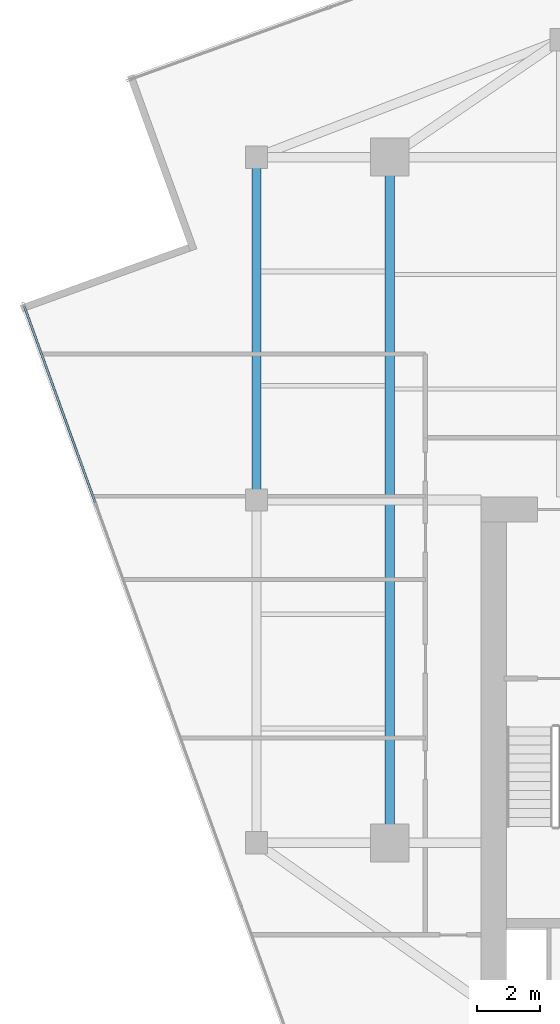
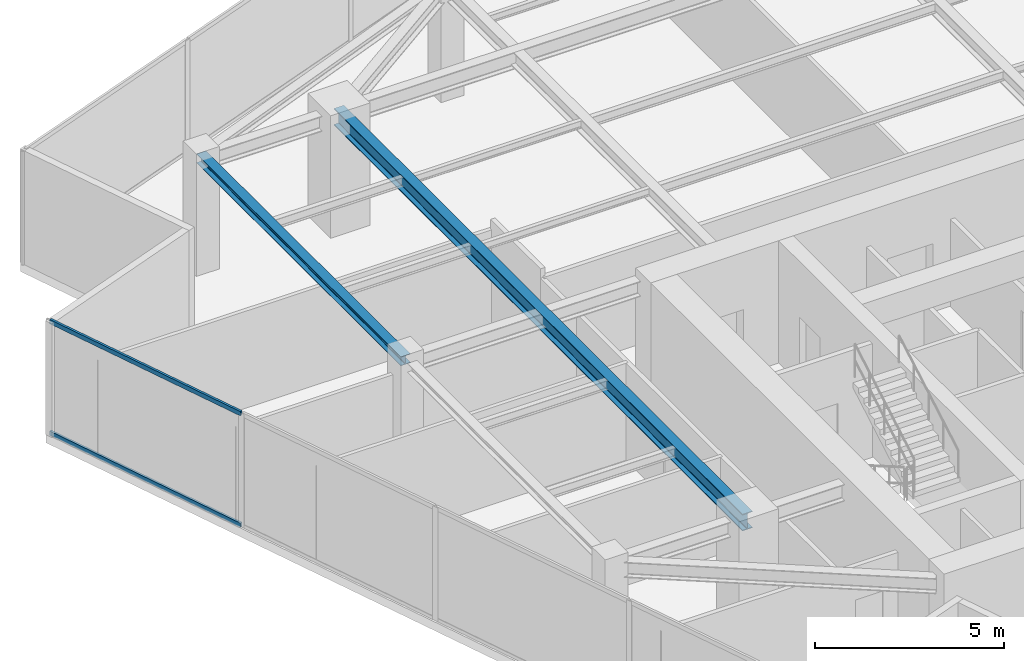
# One storey, part 6 of 21: 2 beams, 2 members, 1 element without a shape of its own.
"""IFC4 building model written with IfcOpenShell, lengths in metres."""

from ifc_helpers import new_model, si_unit, direction, frame, origin, origin_2d, place, context, subcontext, project, spatial, hollow_rectangle, i_section, extrude, source, transform, mapped, material, material_profile, profile_set, type_object, type_shapes, element, aggregate, save


model = new_model("IFC4")

# Units and contexts
model_context = context("Model", 3, precision=1e-05, world=origin(), true_north=direction((0.0, 1.0)))
body_context = subcontext(model_context, "Body", "Model", "MODEL_VIEW")
ifc_project = project(units=[si_unit("LENGTHUNIT", "METRE"), si_unit("AREAUNIT", "SQUARE_METRE"), si_unit("VOLUMEUNIT", "CUBIC_METRE"), si_unit("PLANEANGLEUNIT", "RADIAN"), si_unit("MASSUNIT", "GRAM", prefix="KILO")], contexts=[model_context])

# Site, building, storey
site_placement = place(None, origin())
site = spatial("IfcSite", under=ifc_project, at=site_placement, CompositionType="ELEMENT")
building_placement = place(site_placement, origin())
building = spatial("IfcBuilding", under=site, at=building_placement, Name="Krantzveldt Concourse Tower", CompositionType="ELEMENT")
storey_placement = place(building_placement, frame((0.0, 0.0, 335.60009765625)))
storey = spatial("IfcBuildingStorey", under=building, at=storey_placement, Name="L82", CompositionType="ELEMENT", Elevation=335.60009765625)

# Beams
ifc_material_1 = material(Name="Steel S355JR", Category="steel")
ifc_material_profile_1 = material_profile(ifc_material_1, i_section(OverallWidth=0.300048828125, OverallDepth=0.5400390625, WebThickness=0.012451171875, FlangeThickness=0.02392578125, FilletRadius=0.027099609375, at=origin_2d()), Name="Steel S355JR", Category="steel")
ifc_profile_set_1 = profile_set([ifc_material_profile_1], Name="Steel S355JR - HEA 550")
beam_type_1 = type_object("IfcBeamType", Name="BM-B-HEA550", PredefinedType="BEAM", material=ifc_profile_set_1)
shared_shape_1 = source(origin(), body_context, "Body", "SweptSolid", [
    extrude(i_section(OverallWidth=0.300048828125, OverallDepth=0.5400390625, WebThickness=0.012451171875, FlangeThickness=0.02392578125, FilletRadius=0.027099609375, at=origin_2d()), origin(), (0.0, 0.0, 1.0), 21.60009765625),
])
type_shapes(beam_type_1, [shared_shape_1])
beam_1_placement = place(storey_placement, frame((25.199951171875, 15.89990234375, 3.39990234375), z_axis=(0.0, 1.0, 0.0), x_axis=(-1.0, 0.0, 0.0)))
element("IfcBeam", 1, at=beam_1_placement, inside=storey, type_object=beam_type_1, Name="L82 Tower Girder BG-MW", PredefinedType="BEAM", context=body_context, shape_type="MappedRepresentation", body=[
    mapped(shared_shape_1, transform((0.0, 0.0, 0.0), x_axis=(1.0, 0.0, 0.0), y_axis=(0.0, 1.0, 0.0), z_axis=(0.0, 0.0, 1.0), scale=1.0)),
])
ifc_material_profile_2 = material_profile(ifc_material_1, i_section(OverallWidth=0.2900390625, OverallDepth=0.2900390625, WebThickness=0.008544921875, FlangeThickness=0.013916015625, FilletRadius=0.027099609375, at=origin_2d()), Name="Steel S355JR", Category="steel")
ifc_profile_set_2 = profile_set([ifc_material_profile_2], Name="Steel S355JR - HEA 300")
beam_type_2 = type_object("IfcBeamType", Name="BM-SP-HEA300", PredefinedType="SPANDREL", material=ifc_profile_set_2)
shared_shape_2 = source(origin(), body_context, "Body", "SweptSolid", [
    extrude(i_section(OverallWidth=0.2900390625, OverallDepth=0.2900390625, WebThickness=0.008544921875, FlangeThickness=0.013916015625, FilletRadius=0.027099609375, at=origin_2d()), origin(), (0.0, 0.0, 1.0), 10.800048828125),
])
type_shapes(beam_type_2, [shared_shape_2])
beam_2_placement = place(storey_placement, frame((21.0, 26.699951171875, 3.52490234375), z_axis=(0.0, 1.0, 0.0), x_axis=(-1.0, 0.0, 0.0)))
element("IfcBeam", 2, at=beam_2_placement, inside=storey, type_object=beam_type_2, Name="L82 Tower Girder SP-R02", PredefinedType="SPANDREL", context=body_context, shape_type="MappedRepresentation", body=[
    mapped(shared_shape_2, transform((0.0, 0.0, 0.0), x_axis=(1.0, 0.0, 0.0), y_axis=(0.0, 1.0, 0.0), z_axis=(0.0, 0.0, 1.0), scale=1.0)),
])

# Curtain wall, members
ifc_material_2 = material(Name="Anodised aluminium 6063-T6", Category="aluminium")
curtain_wall_type = type_object("IfcCurtainWallType", Name="CW4", PredefinedType="USERDEFINED", material=ifc_material_2)
curtain_wall_placement = place(storey_placement, origin())
curtain_wall = element("IfcCurtainWall", 3, at=curtain_wall_placement, inside=storey, type_object=curtain_wall_type, Name="CW-L82-F04", ObjectType="UNITISED CURTAIN WALL", PredefinedType="USERDEFINED")
ifc_material_profile_3 = material_profile(ifc_material_2, hollow_rectangle(XDim=0.070068359375, YDim=0.139892578125, WallThickness=0.0048828125, at=origin_2d()), Name="Anodised aluminium 6063-T6", Category="aluminium")
ifc_profile_set_3 = profile_set([ifc_material_profile_3], Name="Anodised aluminium 6063-T6 - ALU-TRAN 140x70x5")
member_type = type_object("IfcMemberType", Name="CW-TRN-150", PredefinedType="USERDEFINED", material=ifc_profile_set_3)
shared_shape_3 = source(origin(), body_context, "Body", "SweptSolid", [
    extrude(hollow_rectangle(XDim=0.070068359375, YDim=0.139892578125, WallThickness=0.0048828125, at=origin_2d()), origin(), (0.0, 0.0, 1.0), 6.594970703125),
])
type_shapes(member_type, [shared_shape_3])
member_1_placement = place(storey_placement, frame((13.6845703125, 32.80712890625, 0.034912109375), z_axis=(0.339982843811, -0.940431638086, 0.0), x_axis=(0.940431638086, 0.339982843811, 0.0)))
member_1 = element("IfcMember", 4, at=member_1_placement, type_object=member_type, Name="CW-Z56 transom 1.1", ObjectType="TRANSOM", PredefinedType="USERDEFINED", context=body_context, shape_type="MappedRepresentation", body=[
    mapped(shared_shape_3, transform((0.0, 0.0, 0.0), x_axis=(1.0, 0.0, 0.0), y_axis=(0.0, 1.0, 0.0), z_axis=(0.0, 0.0, 1.0), scale=1.0)),
])
member_2_placement = place(storey_placement, frame((13.6845703125, 32.80712890625, 3.635009765625), z_axis=(0.339982843811, -0.940431638086, 0.0), x_axis=(0.940431638086, 0.339982843811, 0.0)))
member_2 = element("IfcMember", 5, at=member_2_placement, type_object=member_type, Name="CW-Z56 transom 1.2", ObjectType="TRANSOM", PredefinedType="USERDEFINED", context=body_context, shape_type="MappedRepresentation", body=[
    mapped(shared_shape_3, transform((0.0, 0.0, 0.0), x_axis=(1.0, 0.0, 0.0), y_axis=(0.0, 1.0, 0.0), z_axis=(0.0, 0.0, 1.0), scale=1.0)),
])
aggregate(curtain_wall, [member_1, member_2])

save(model, "model.ifc")
